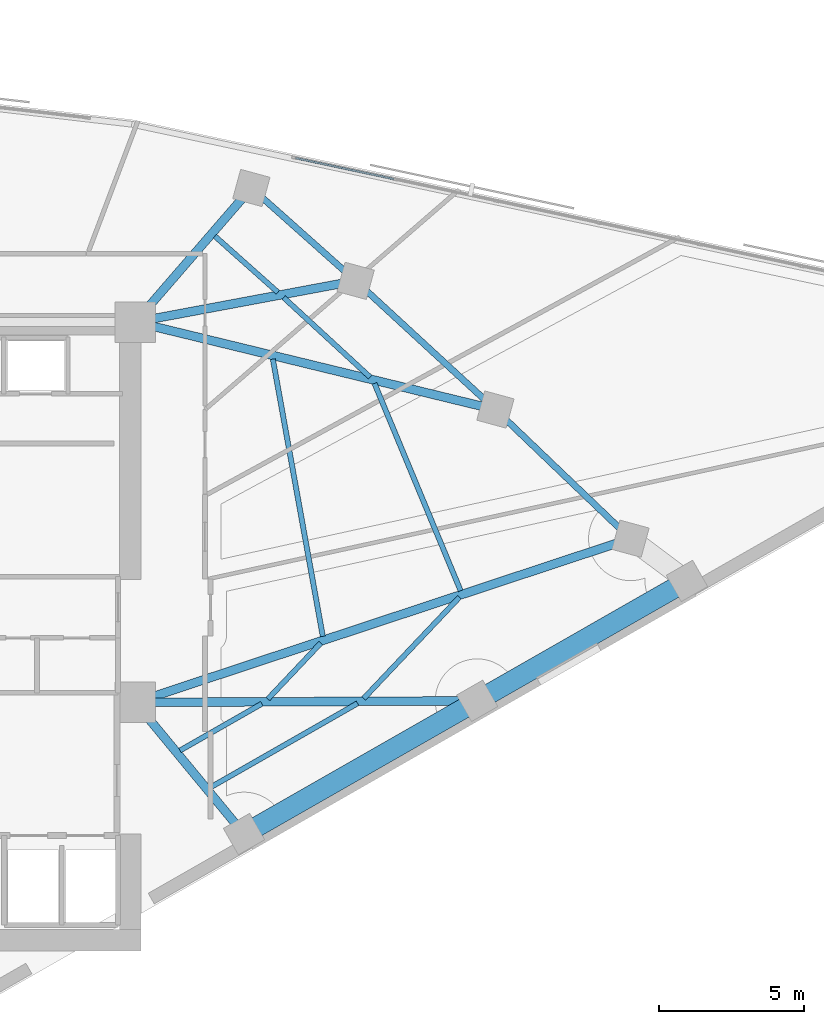
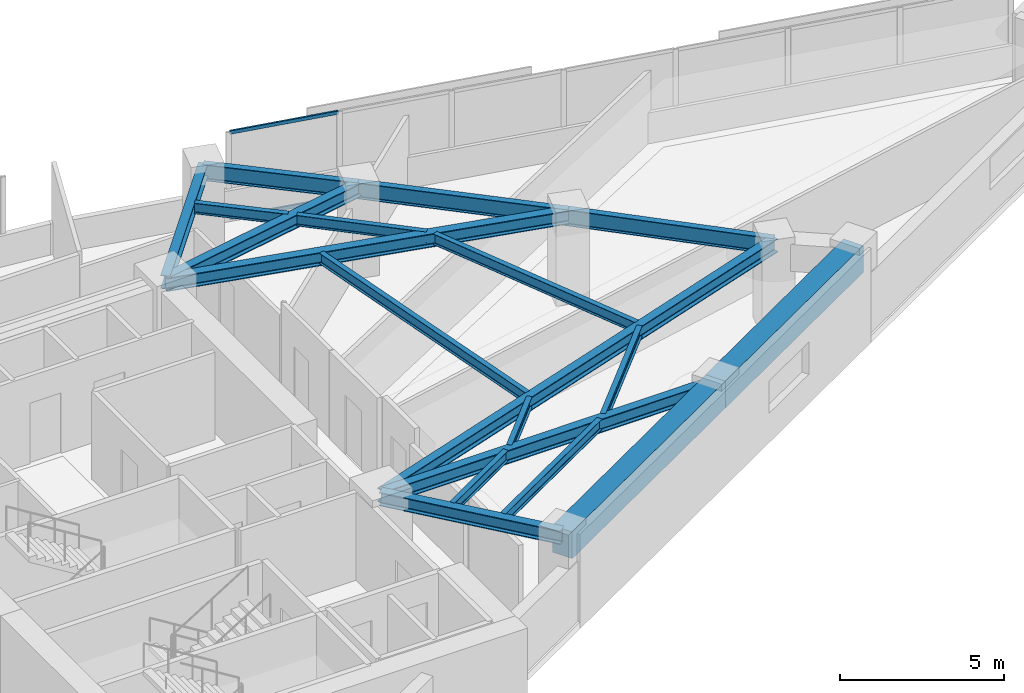
# One storey, part 3 of 14: 19 beams, 2 members, 1 element without a shape of its own.
"""IFC4 building model written with IfcOpenShell, lengths in metres."""

from ifc_helpers import new_model, si_unit, direction, frame, origin, origin_2d, place, context, subcontext, project, spatial, rectangle, hollow_rectangle, i_section, extrude, material, material_profile, profile_set, type_object, element, aggregate, save


model = new_model("IFC4")

# Units and contexts
model_context = context("Model", 3, precision=1e-05, world=origin(), true_north=direction((0.0, 1.0)))
body_context = subcontext(model_context, "Body", "Model", "MODEL_VIEW")
ifc_project = project(units=[si_unit("LENGTHUNIT", "METRE"), si_unit("AREAUNIT", "SQUARE_METRE"), si_unit("VOLUMEUNIT", "CUBIC_METRE"), si_unit("PLANEANGLEUNIT", "RADIAN"), si_unit("MASSUNIT", "GRAM", prefix="KILO")], contexts=[model_context])

# Site, building, storey
site_placement = place(None, origin())
site = spatial("IfcSite", under=ifc_project, at=site_placement, CompositionType="ELEMENT")
building_placement = place(site_placement, origin())
building = spatial("IfcBuilding", under=site, at=building_placement, Name="Narakoshi Arena Tower", CompositionType="ELEMENT")
storey_placement = place(building_placement, frame((0.0, 0.0, 214.97998046875)))
storey = spatial("IfcBuildingStorey", under=building, at=storey_placement, Name="L58", CompositionType="ELEMENT", Elevation=214.97998046875)

# Beams
ifc_material_1 = material(Name="Concrete C60/75", Category="concrete")
ifc_material_profile_1 = material_profile(ifc_material_1, rectangle(XDim=0.699951171875, YDim=1.0, at=origin_2d()), Name="RCB700x1000")
ifc_profile_set_1 = profile_set([ifc_material_profile_1], Name="Concrete C60/75")
beam_type_1 = type_object("IfcBeamType", Name="BM-CPL-1000", PredefinedType="BEAM", material=ifc_profile_set_1)
beam_1_placement = place(storey_placement, frame((89.30810546875, 38.798583984375, 2.760009765625), z_axis=(0.868201055882, 0.496212582031, 0.0), x_axis=(-0.496212582031, 0.868201055882, 0.0)))
element("IfcBeam", 1, at=beam_1_placement, inside=storey, type_object=beam_type_1, Name="L58 Perimeter Edge Girder 01", PredefinedType="BEAM", context=body_context, shape_type="SweptSolid", body=[
    extrude(rectangle(XDim=0.699951171875, YDim=1.0, at=origin_2d()), origin(), (0.0, 0.0, 1.0), 9.2822265625),
])
beam_2_placement = place(storey_placement, frame((97.366943359375, 43.404541015625, 2.760009765625), z_axis=(0.868192782093, 0.49622705803, 0.0), x_axis=(-0.49622705803, 0.868192782093, 0.0)))
element("IfcBeam", 2, at=beam_2_placement, inside=storey, type_object=beam_type_1, Name="L58 Perimeter Edge Girder 02", PredefinedType="BEAM", context=body_context, shape_type="SweptSolid", body=[
    extrude(rectangle(XDim=0.699951171875, YDim=1.0, at=origin_2d()), origin(), (0.0, 0.0, 1.0), 8.35400390625),
])
ifc_material_2 = material(Name="Structural steel S355J2", Category="steel")
ifc_material_profile_2 = material_profile(ifc_material_2, i_section(OverallWidth=0.219970703125, OverallDepth=0.60009765625, WebThickness=0.011962890625, FlangeThickness=0.01904296875, FilletRadius=0.02392578125, at=origin_2d()), Name="IPE600")
ifc_profile_set_2 = profile_set([ifc_material_profile_2], Name="Structural steel S355J2")
beam_type_2 = type_object("IfcBeamType", Name="BM-EDGE-600", PredefinedType="BEAM", material=ifc_profile_set_2)
beam_3_placement = place(storey_placement, frame((102.668701171875, 49.009521484375, 2.9599609375), z_axis=(-0.722814960544, 0.691041628858, 0.0), x_axis=(-0.691041628858, -0.722814960544, 0.0)))
element("IfcBeam", 3, at=beam_3_placement, inside=storey, type_object=beam_type_2, Name="L58 Perimeter Edge Girder 04", PredefinedType="BEAM", context=body_context, shape_type="SweptSolid", body=[
    extrude(i_section(OverallWidth=0.219970703125, OverallDepth=0.60009765625, WebThickness=0.011962890625, FlangeThickness=0.01904296875, FilletRadius=0.02392578125, at=origin_2d()), origin(), (0.0, 0.0, 1.0), 6.462158203125),
])
beam_4_placement = place(storey_placement, frame((97.997802734375, 53.47509765625, 2.9599609375), z_axis=(-0.735632357906, 0.677381010954, 0.0), x_axis=(-0.677381010954, -0.735632357906, 0.0)))
element("IfcBeam", 4, at=beam_4_placement, inside=storey, type_object=beam_type_2, Name="L58 Perimeter Edge Girder 05", PredefinedType="BEAM", context=body_context, shape_type="SweptSolid", body=[
    extrude(i_section(OverallWidth=0.219970703125, OverallDepth=0.60009765625, WebThickness=0.011962890625, FlangeThickness=0.01904296875, FilletRadius=0.02392578125, at=origin_2d()), origin(), (0.0, 0.0, 1.0), 6.567626953125),
])
beam_5_placement = place(storey_placement, frame((93.16650390625, 57.923828125, 2.9599609375), z_axis=(-0.746739302131, 0.665116842857, 0.0), x_axis=(-0.665116842857, -0.746739302131, 0.0)))
element("IfcBeam", 5, at=beam_5_placement, inside=storey, type_object=beam_type_2, Name="L58 Perimeter Edge Girder 06", PredefinedType="BEAM", context=body_context, shape_type="SweptSolid", body=[
    extrude(i_section(OverallWidth=0.219970703125, OverallDepth=0.60009765625, WebThickness=0.011962890625, FlangeThickness=0.01904296875, FilletRadius=0.02392578125, at=origin_2d()), origin(), (0.0, 0.0, 1.0), 4.82763671875),
])
ifc_material_profile_3 = material_profile(ifc_material_2, i_section(OverallWidth=0.300048828125, OverallDepth=0.5, WebThickness=0.014404296875, FlangeThickness=0.028076171875, FilletRadius=0.027099609375, at=origin_2d()), Name="HE500B")
ifc_profile_set_3 = profile_set([ifc_material_profile_3], Name="Structural steel S355J2")
beam_type_3 = type_object("IfcBeamType", Name="BM-PRI-500", PredefinedType="BEAM", material=ifc_profile_set_3)
beam_6_placement = place(storey_placement, frame((85.550048828125, 43.35009765625, 3.010009765625), z_axis=(0.63669116064, -0.771118905204, 0.0), x_axis=(0.771118905204, 0.63669116064, 0.0)))
element("IfcBeam", 6, at=beam_6_placement, inside=storey, type_object=beam_type_3, Name="L58 Radial Primary Floor Girder 01", PredefinedType="BEAM", context=body_context, shape_type="SweptSolid", body=[
    extrude(i_section(OverallWidth=0.300048828125, OverallDepth=0.5, WebThickness=0.014404296875, FlangeThickness=0.028076171875, FilletRadius=0.027099609375, at=origin_2d()), origin(), (0.0, 0.0, 1.0), 5.902587890625),
])
beam_7_placement = place(storey_placement, frame((85.550048828125, 43.35009765625, 3.010009765625), z_axis=(0.999989386804, 0.004607198737, 0.0), x_axis=(-0.004607198737, 0.999989386804, 0.0)))
element("IfcBeam", 7, at=beam_7_placement, inside=storey, type_object=beam_type_3, Name="L58 Radial Primary Floor Girder 02", PredefinedType="BEAM", context=body_context, shape_type="SweptSolid", body=[
    extrude(i_section(OverallWidth=0.300048828125, OverallDepth=0.5, WebThickness=0.014404296875, FlangeThickness=0.028076171875, FilletRadius=0.027099609375, at=origin_2d()), origin(), (0.0, 0.0, 1.0), 11.817138671875),
])
beam_8_placement = place(storey_placement, frame((85.550048828125, 43.35009765625, 3.010009765625), z_axis=(0.949459022771, 0.313891006687, 0.0), x_axis=(-0.313891006687, 0.949459022771, 0.0)))
element("IfcBeam", 8, at=beam_8_placement, inside=storey, type_object=beam_type_3, Name="L58 Radial Primary Floor Girder 04", PredefinedType="BEAM", context=body_context, shape_type="SweptSolid", body=[
    extrude(i_section(OverallWidth=0.300048828125, OverallDepth=0.5, WebThickness=0.014404296875, FlangeThickness=0.028076171875, FilletRadius=0.027099609375, at=origin_2d()), origin(), (0.0, 0.0, 1.0), 18.02978515625),
])
beam_9_placement = place(storey_placement, frame((85.550048828125, 56.5, 3.010009765625), z_axis=(0.971720101952, -0.236135646318, 0.0), x_axis=(0.236135646318, 0.971720101952, 0.0)))
element("IfcBeam", 9, at=beam_9_placement, inside=storey, type_object=beam_type_3, Name="L58 Radial Primary Floor Girder 05", PredefinedType="BEAM", context=body_context, shape_type="SweptSolid", body=[
    extrude(i_section(OverallWidth=0.300048828125, OverallDepth=0.5, WebThickness=0.014404296875, FlangeThickness=0.028076171875, FilletRadius=0.027099609375, at=origin_2d()), origin(), (0.0, 0.0, 1.0), 12.81005859375),
])
beam_10_placement = place(storey_placement, frame((85.550048828125, 56.5, 3.010009765625), z_axis=(0.982971563011, 0.183757738099, 0.0), x_axis=(-0.183757738099, 0.982971563011, 0.0)))
element("IfcBeam", 10, at=beam_10_placement, inside=storey, type_object=beam_type_3, Name="L58 Radial Primary Floor Girder 06", PredefinedType="BEAM", context=body_context, shape_type="SweptSolid", body=[
    extrude(i_section(OverallWidth=0.300048828125, OverallDepth=0.5, WebThickness=0.014404296875, FlangeThickness=0.028076171875, FilletRadius=0.027099609375, at=origin_2d()), origin(), (0.0, 0.0, 1.0), 7.748291015625),
])
beam_11_placement = place(storey_placement, frame((85.550048828125, 56.5, 3.010009765625), z_axis=(0.654434553487, 0.756118651537, 0.0), x_axis=(-0.756118651537, 0.654434553487, 0.0)))
element("IfcBeam", 11, at=beam_11_placement, inside=storey, type_object=beam_type_3, Name="L58 Radial Primary Floor Girder 07", PredefinedType="BEAM", context=body_context, shape_type="SweptSolid", body=[
    extrude(i_section(OverallWidth=0.300048828125, OverallDepth=0.5, WebThickness=0.014404296875, FlangeThickness=0.028076171875, FilletRadius=0.027099609375, at=origin_2d()), origin(), (0.0, 0.0, 1.0), 6.129638671875),
])
ifc_material_profile_4 = material_profile(ifc_material_2, i_section(OverallWidth=0.179931640625, OverallDepth=0.39990234375, WebThickness=0.008544921875, FlangeThickness=0.013427734375, FilletRadius=0.02099609375, at=origin_2d()), Name="IPE400")
ifc_profile_set_4 = profile_set([ifc_material_profile_4], Name="Structural steel S355J2")
beam_type_4 = type_object("IfcBeamType", Name="BM-SEC-400", PredefinedType="JOIST", material=ifc_profile_set_4)
beam_12_placement = place(storey_placement, frame((87.09521484375, 41.6875, 3.06005859375), z_axis=(0.868206238695, 0.496203513784, 0.0), x_axis=(-0.496203513784, 0.868206238695, 0.0)))
element("IfcBeam", 12, at=beam_12_placement, inside=storey, type_object=beam_type_4, Name="L58 Composite Secondary Floor Joist 01", PredefinedType="JOIST", context=body_context, shape_type="SweptSolid", body=[
    extrude(i_section(OverallWidth=0.179931640625, OverallDepth=0.39990234375, WebThickness=0.008544921875, FlangeThickness=0.013427734375, FilletRadius=0.02099609375, at=origin_2d()), origin(), (0.0, 0.0, 1.0), 3.257080078125),
])
beam_13_placement = place(storey_placement, frame((88.1474609375, 40.4130859375, 3.06005859375), z_axis=(0.868199526445, 0.496215258008, 0.0), x_axis=(-0.496215258008, 0.868199526445, 0.0)))
element("IfcBeam", 13, at=beam_13_placement, inside=storey, type_object=beam_type_4, Name="L58 Composite Secondary Floor Joist 02", PredefinedType="JOIST", context=body_context, shape_type="SweptSolid", body=[
    extrude(i_section(OverallWidth=0.179931640625, OverallDepth=0.39990234375, WebThickness=0.008544921875, FlangeThickness=0.013427734375, FilletRadius=0.02099609375, at=origin_2d()), origin(), (0.0, 0.0, 1.0), 5.8564453125),
])
beam_14_placement = place(storey_placement, frame((90.13330078125, 43.46875, 3.06005859375), z_axis=(0.687159296993, 0.726506779429, 0.0), x_axis=(-0.726506779429, 0.687159296993, 0.0)))
element("IfcBeam", 14, at=beam_14_placement, inside=storey, type_object=beam_type_4, Name="L58 Composite Secondary Floor Joist 03", PredefinedType="JOIST", context=body_context, shape_type="SweptSolid", body=[
    extrude(i_section(OverallWidth=0.179931640625, OverallDepth=0.39990234375, WebThickness=0.008544921875, FlangeThickness=0.013427734375, FilletRadius=0.02099609375, at=origin_2d()), origin(), (0.0, 0.0, 1.0), 2.661865234375),
])
beam_15_placement = place(storey_placement, frame((93.44189453125, 43.484130859375, 3.06005859375), z_axis=(0.687189743589, 0.726477980606, 0.0), x_axis=(-0.726477980606, 0.687189743589, 0.0)))
element("IfcBeam", 15, at=beam_15_placement, inside=storey, type_object=beam_type_4, Name="L58 Composite Secondary Floor Joist 04", PredefinedType="JOIST", context=body_context, shape_type="SweptSolid", body=[
    extrude(i_section(OverallWidth=0.179931640625, OverallDepth=0.39990234375, WebThickness=0.008544921875, FlangeThickness=0.013427734375, FilletRadius=0.02099609375, at=origin_2d()), origin(), (0.0, 0.0, 1.0), 4.822021484375),
])
beam_16_placement = place(storey_placement, frame((92.03125, 45.633544921875, 3.06005859375), z_axis=(-0.177340942745, 0.984149475449, 0.0), x_axis=(-0.984149475449, -0.177340942745, 0.0)))
element("IfcBeam", 16, at=beam_16_placement, inside=storey, type_object=beam_type_4, Name="L58 Composite Secondary Floor Joist 05", PredefinedType="JOIST", context=body_context, shape_type="SweptSolid", body=[
    extrude(i_section(OverallWidth=0.179931640625, OverallDepth=0.39990234375, WebThickness=0.008544921875, FlangeThickness=0.013427734375, FilletRadius=0.02099609375, at=origin_2d()), origin(), (0.0, 0.0, 1.0), 9.738525390625),
])
beam_17_placement = place(storey_placement, frame((96.796630859375, 47.2099609375, 3.06005859375), z_axis=(-0.38375775384, 0.923433801833, 0.0), x_axis=(-0.923433801833, -0.38375775384, 0.0)))
element("IfcBeam", 17, at=beam_17_placement, inside=storey, type_object=beam_type_4, Name="L58 Composite Secondary Floor Joist 06", PredefinedType="JOIST", context=body_context, shape_type="SweptSolid", body=[
    extrude(i_section(OverallWidth=0.179931640625, OverallDepth=0.39990234375, WebThickness=0.008544921875, FlangeThickness=0.013427734375, FilletRadius=0.02099609375, at=origin_2d()), origin(), (0.0, 0.0, 1.0), 7.763427734375),
])
beam_18_placement = place(storey_placement, frame((93.666259765625, 54.59521484375, 3.06005859375), z_axis=(-0.735666392009, 0.677344048227, 0.0), x_axis=(-0.677344048227, -0.735666392009, 0.0)))
element("IfcBeam", 18, at=beam_18_placement, inside=storey, type_object=beam_type_4, Name="L58 Composite Secondary Floor Joist 07", PredefinedType="JOIST", context=body_context, shape_type="SweptSolid", body=[
    extrude(i_section(OverallWidth=0.179931640625, OverallDepth=0.39990234375, WebThickness=0.008544921875, FlangeThickness=0.013427734375, FilletRadius=0.02099609375, at=origin_2d()), origin(), (0.0, 0.0, 1.0), 4.064697265625),
])
beam_19_placement = place(storey_placement, frame((90.47607421875, 57.529541015625, 3.06005859375), z_axis=(-0.746743762935, 0.665111834595, 0.0), x_axis=(-0.665111834595, -0.746743762935, 0.0)))
element("IfcBeam", 19, at=beam_19_placement, inside=storey, type_object=beam_type_4, Name="L58 Composite Secondary Floor Joist 08", PredefinedType="JOIST", context=body_context, shape_type="SweptSolid", body=[
    extrude(i_section(OverallWidth=0.179931640625, OverallDepth=0.39990234375, WebThickness=0.008544921875, FlangeThickness=0.013427734375, FilletRadius=0.02099609375, at=origin_2d()), origin(), (0.0, 0.0, 1.0), 2.916015625),
])

# Curtain wall, members
ifc_material_3 = material(Name="Anodised bronze aluminium 6063-T6", Category="aluminium")
curtain_wall_type = type_object("IfcCurtainWallType", Name="CW-HYP-MID", PredefinedType="NOTDEFINED", material=ifc_material_3)
curtain_wall_placement = place(storey_placement, origin())
curtain_wall = element("IfcCurtainWall", 20, at=curtain_wall_placement, inside=storey, type_object=curtain_wall_type, Name="L58 Folded Hypotenuse Curtain Wall 1-1", PredefinedType="NOTDEFINED")
ifc_material_profile_5 = material_profile(ifc_material_3, hollow_rectangle(XDim=0.06494140625, YDim=0.1298828125, WallThickness=0.00390625, OuterFilletRadius=0.0048828125, at=origin_2d()), Name="TRN130x65x4")
ifc_profile_set_5 = profile_set([ifc_material_profile_5], Name="Anodised bronze aluminium 6063-T6")
member_type = type_object("IfcMemberType", Name="MEM-TRN-130", PredefinedType="USERDEFINED", material=ifc_profile_set_5)
member_1_placement = place(storey_placement, frame((94.4892578125, 61.442138671875, 0.032470703125), z_axis=(-0.977945872942, 0.208858491797, 0.0), x_axis=(-0.208858491797, -0.977945872942, 0.0)))
member_1 = element("IfcMember", 21, at=member_1_placement, type_object=member_type, Name="CW-02 transom 7.1", ObjectType="TRANSOM", PredefinedType="USERDEFINED", context=body_context, shape_type="SweptSolid", body=[
    extrude(hollow_rectangle(XDim=0.06494140625, YDim=0.1298828125, WallThickness=0.00390625, OuterFilletRadius=0.0048828125, at=origin_2d()), origin(), (0.0, 0.0, 1.0), 3.48095703125),
])
member_2_placement = place(storey_placement, frame((94.4892578125, 61.442138671875, 3.2275390625), z_axis=(-0.977945872942, 0.208858491797, 0.0), x_axis=(-0.208858491797, -0.977945872942, 0.0)))
member_2 = element("IfcMember", 22, at=member_2_placement, type_object=member_type, Name="CW-02 transom 7.2", ObjectType="TRANSOM", PredefinedType="USERDEFINED", context=body_context, shape_type="SweptSolid", body=[
    extrude(hollow_rectangle(XDim=0.06494140625, YDim=0.1298828125, WallThickness=0.00390625, OuterFilletRadius=0.0048828125, at=origin_2d()), origin(), (0.0, 0.0, 1.0), 3.48095703125),
])
aggregate(curtain_wall, [member_1, member_2])

save(model, "model.ifc")
